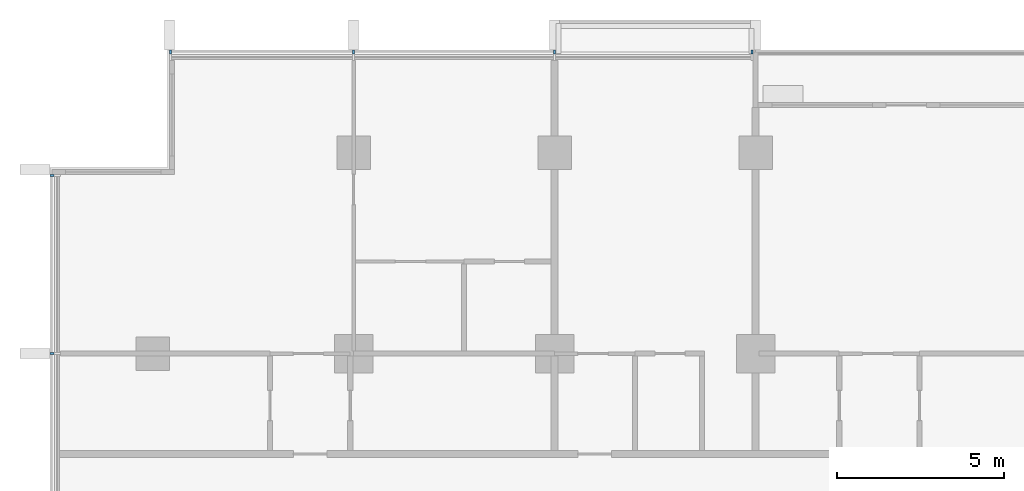
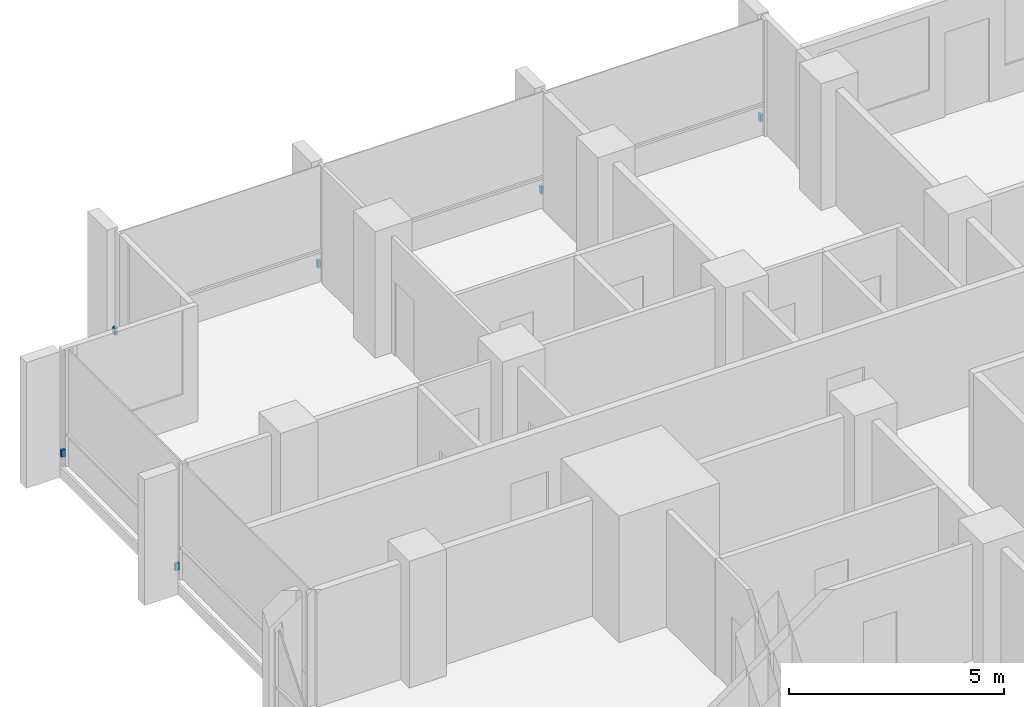
# One storey, part 16 of 19: 6 discrete accessories.
"""IFC4 building model written with IfcOpenShell, lengths in metres."""

from ifc_helpers import new_model, si_unit, direction, frame, origin, origin_2d, place, context, subcontext, project, spatial, rectangle, extrude, material, type_object, element, save


model = new_model("IFC4")

# Units and contexts
model_context = context("Model", 3, precision=1e-05, world=origin(), true_north=direction((0.0, 1.0)))
body_context = subcontext(model_context, "Body", "Model", "MODEL_VIEW")
ifc_project = project(units=[si_unit("LENGTHUNIT", "METRE"), si_unit("AREAUNIT", "SQUARE_METRE"), si_unit("VOLUMEUNIT", "CUBIC_METRE"), si_unit("PLANEANGLEUNIT", "RADIAN"), si_unit("MASSUNIT", "GRAM", prefix="KILO")], contexts=[model_context])

# Site, building, storey
site_placement = place(None, origin())
site = spatial("IfcSite", under=ifc_project, at=site_placement, CompositionType="ELEMENT")
building_placement = place(site_placement, origin())
building = spatial("IfcBuilding", under=site, at=building_placement, Name="Finial Court Residences", CompositionType="ELEMENT")
storey_placement = place(building_placement, frame((0.0, 0.0, 88.300048828125)))
storey = spatial("IfcBuildingStorey", under=building, at=storey_placement, Name="L21", CompositionType="ELEMENT", Elevation=88.300048828125)

# Discrete accessories
ifc_material = material(Name="Stainless steel 316", Category="steel")
discrete_accessory_type = type_object("IfcDiscreteAccessoryType", Name="Fin bracket, stainless steel 65 x 110 x 200", PredefinedType="BRACKET", material=ifc_material)
for number, where, z_axis, x_axis, name in (
    (1, (-21.967529296875, 22.5048828125, 0.2998046875), (0.0, 0.0, 1.0), (1.0, 0.0, 0.0), "E-L21-FIN-N1-BRK"),
    (2, (-16.5, 22.5048828125, 0.2998046875), (0.0, 0.0, 1.0), (1.0, 0.0, 0.0), "E-L21-FIN-N2-BRK"),
    (3, (-10.5, 22.5048828125, 0.2998046875), (0.0, 0.0, 1.0), (1.0, 0.0, 0.0), "E-L21-FIN-N3-BRK"),
    (4, (-4.607421875, 22.5048828125, 0.2998046875), (0.0, 0.0, 1.0), (1.0, 0.0, 0.0), "E-L21-FIN-N4-BRK"),
):
    element("IfcDiscreteAccessory", number, at=place(storey_placement, frame(where, z_axis=z_axis, x_axis=x_axis)), inside=storey, type_object=discrete_accessory_type, Name=name, PredefinedType="BRACKET", context=body_context, shape_type="SweptSolid", body=[
        extrude(rectangle(XDim=0.06494140625, YDim=0.110107421875, at=origin_2d()), origin(), (0.0, 0.0, 1.0), 0.199951171875),
    ])
for number, where, z_axis, x_axis, name in (
    (5, (-25.5048828125, 13.5, 0.2998046875), (0.0, 0.0, 1.0), (1.0, 0.0, 0.0), "E-L21-FIN-W31-BRK"),
    (6, (-25.5048828125, 18.8173828125, 0.2998046875), (0.0, 0.0, 1.0), (1.0, 0.0, 0.0), "E-L21-FIN-W32-BRK"),
):
    element("IfcDiscreteAccessory", number, at=place(storey_placement, frame(where, z_axis=z_axis, x_axis=x_axis)), inside=storey, type_object=discrete_accessory_type, Name=name, PredefinedType="BRACKET", context=body_context, shape_type="SweptSolid", body=[
        extrude(rectangle(XDim=0.110107421875, YDim=0.06494140625, at=origin_2d()), origin(), (0.0, 0.0, 1.0), 0.199951171875),
    ])

save(model, "model.ifc")
